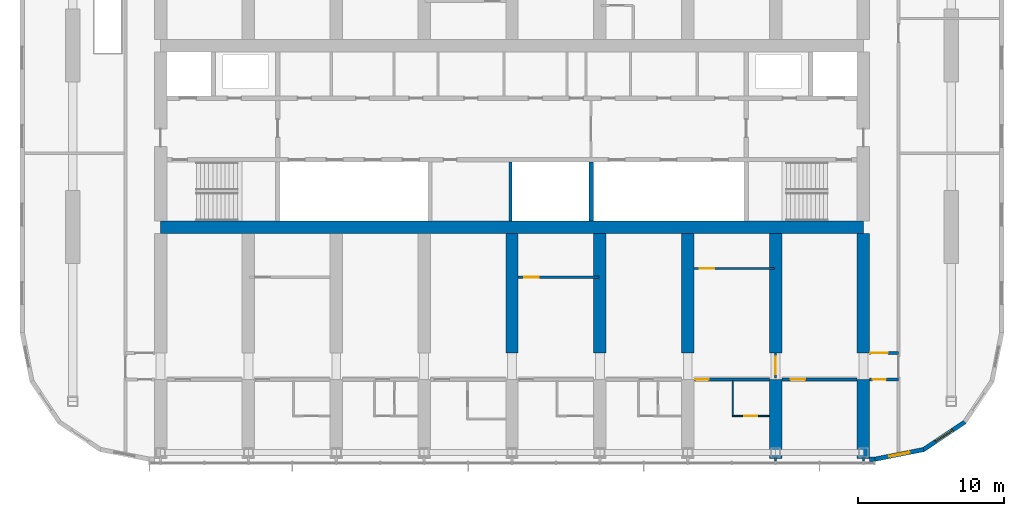
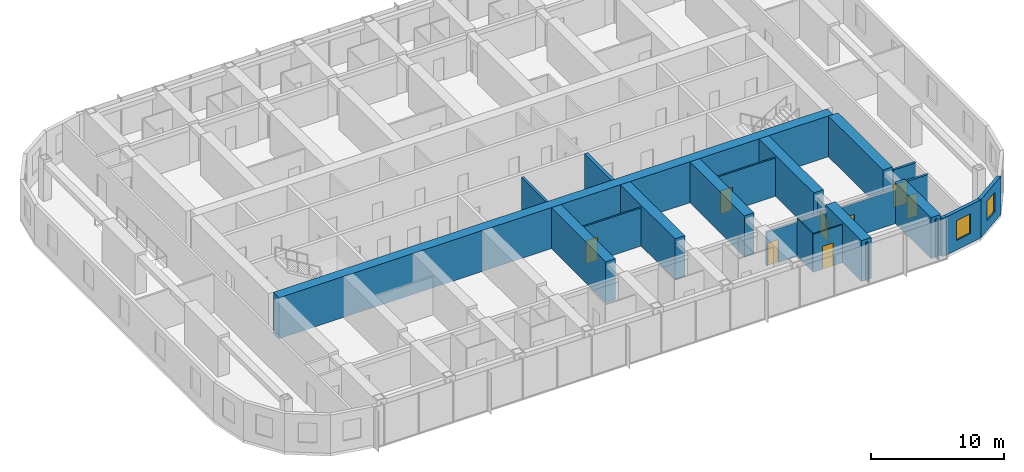
# One storey, part 12 of 22: 24 walls, 8 doors, 2 windows, 10 openings.
"""IFC4 building model written with IfcOpenShell, lengths in metres."""

from ifc_helpers import new_model, si_unit, direction, frame, frame_2d, origin, place, context, subcontext, project, spatial, polyline, rectangle, outline, extrude, material, layer, layer_set, type_object, element, fill, save


model = new_model("IFC4")

# Units and contexts
model_context = context("Model", 3, precision=1e-05, world=origin(), true_north=direction((0.0, 1.0)))
body_context = subcontext(model_context, "Body", "Model", "MODEL_VIEW")
ifc_project = project(units=[si_unit("LENGTHUNIT", "METRE"), si_unit("AREAUNIT", "SQUARE_METRE"), si_unit("VOLUMEUNIT", "CUBIC_METRE"), si_unit("PLANEANGLEUNIT", "RADIAN"), si_unit("MASSUNIT", "GRAM", prefix="KILO")], contexts=[model_context])

# Site, building, storey
site_placement = place(None, origin())
site = spatial("IfcSite", under=ifc_project, at=site_placement, CompositionType="ELEMENT")
building_placement = place(site_placement, origin())
building = spatial("IfcBuilding", under=site, at=building_placement, Name="Orbita Commons", CompositionType="ELEMENT")
storey_placement = place(building_placement, frame((0.0, 0.0, 152.35009765625)))
storey = spatial("IfcBuildingStorey", under=building, at=storey_placement, Name="L37", CompositionType="ELEMENT", Elevation=152.35009765625)

# Walls
ifc_material_1 = material(Name="Concrete C50/60", Category="concrete")
ifc_layer_1 = layer(ifc_material_1, 0.300048828125)
ifc_layer_set_1 = layer_set([ifc_layer_1], Name="Concrete C50/60")
wall_type_1 = type_object("IfcWallType", Name="Core inner wall 300 C50/60", PredefinedType="SHEAR", material=ifc_layer_set_1)
wall_1_placement = place(storey_placement, frame((47.39990234375, 26.22509765625, 0.0), z_axis=(0.0, 0.0, 1.0), x_axis=(0.0, 1.0, 0.0)))
element("IfcWall", 1, at=wall_1_placement, inside=storey, type_object=wall_type_1, Name="Hoistway division wall L37", PredefinedType="SHEAR", context=body_context, shape_type="SweptSolid", body=[
    extrude(rectangle(XDim=4.02490234375, YDim=0.300048828125, at=frame_2d((2.012451171875, 0.0))), origin(), (0.0, 0.0, 1.0), 3.75),
])
ifc_material_2 = material(Name="Concrete C50/60", Category="concrete")
ifc_layer_2 = layer(ifc_material_2, 0.85009765625)
ifc_layer_set_2 = layer_set([ifc_layer_2], Name="Concrete C50/60")
wall_type_2 = type_object("IfcWallType", Name="Core wall 850 C50/60", PredefinedType="SHEAR", material=ifc_layer_set_2)
wall_2_placement = place(storey_placement, frame((18.0, 25.800048828125, 0.0), z_axis=(0.0, 0.0, 1.0), x_axis=(1.0, 0.0, 0.0)))
element("IfcWall", 2, at=wall_2_placement, inside=storey, type_object=wall_type_2, Name="Core spine wall south L37", PredefinedType="SHEAR", context=body_context, shape_type="SweptSolid", body=[
    extrude(rectangle(XDim=48.0, YDim=0.85009765625, at=frame_2d((24.0, 0.0))), origin(), (0.0, 0.0, 1.0), 3.75),
])

# Wall, opening, door
ifc_material_3 = material(Name="Concrete blockwork", Category="masonry")
ifc_layer_3 = layer(ifc_material_3, 0.199951171875)
ifc_layer_set_3 = layer_set([ifc_layer_3], Name="Concrete blockwork")
wall_type_3 = type_object("IfcWallType", Name="Corridor wall 200 blockwork", PredefinedType="SOLIDWALL", material=ifc_layer_set_3)
wall_3_placement = place(storey_placement, frame((54.425048828125, 15.39990234375, 0.0), z_axis=(0.0, 0.0, 1.0), x_axis=(1.0, 0.0, 0.0)))
wall_3 = element("IfcWall", 3, at=wall_3_placement, inside=storey, type_object=wall_type_3, Name="Corridor wall 200 blockwork L37", PredefinedType="SOLIDWALL", context=body_context, shape_type="SweptSolid", body=[
    extrude(outline(polyline([(0.0, 0.0), (5.14990234375, 0.0), (5.14990234375, 3.099853515625), (0.0, 3.099853515625), (0.0, 0.0)])), frame((0.0, 0.10009765625, 0.0), z_axis=(0.0, -1.0, 0.0), x_axis=(1.0, 0.0, 0.0)), (0.0, 0.0, 1.0), 0.199951171875),
])
opening_1_placement = place(wall_3_placement, frame((0.10009765625, 0.0, 0.0)))
opening_1 = element("IfcOpeningElement", 4, at=opening_1_placement, cuts=wall_3, Name="Opening D11", PredefinedType="OPENING", context=body_context, shape_type="SweptSolid", body=[
    extrude(rectangle(XDim=0.89990234375, YDim=2.10009765625, at=frame_2d((0.449951171875, 1.050048828125))), frame((0.0, 0.10986328125, 0.0), z_axis=(0.0, -1.0, 0.0), x_axis=(1.0, 0.0, 0.0)), (0.0, 0.0, 1.0), 0.219970703125),
])
ifc_material_4 = material(Name="Steel-faced fire door leaf", Category="steel")
door_type_1 = type_object("IfcDoorType", Name="Corridor door 20 min 900x2100", OperationType="SINGLE_SWING_LEFT", PredefinedType="DOOR", material=ifc_material_4)
door_1_placement = place(opening_1_placement, origin())
door_1 = element("IfcDoor", 5, at=door_1_placement, inside=storey, type_object=door_type_1, Name="Twin room L37-S12 door", OperationType="SINGLE_SWING_LEFT", OverallHeight=2.10009765625, OverallWidth=0.89990234375, PredefinedType="DOOR", context=body_context, shape_type="SweptSolid", body=[
    extrude(rectangle(XDim=0.89990234375, YDim=2.10009765625, at=frame_2d((0.449951171875, 1.050048828125))), frame((0.0, 0.02490234375, 0.0), z_axis=(0.0, -1.0, 0.0), x_axis=(1.0, 0.0, 0.0)), (0.0, 0.0, 1.0), 0.050048828125),
])
fill(opening_1, door_1)

wall_4_placement = place(storey_placement, frame((60.425048828125, 15.39990234375, 0.0), z_axis=(0.0, 0.0, 1.0), x_axis=(1.0, 0.0, 0.0)))
wall_4 = element("IfcWall", 6, at=wall_4_placement, inside=storey, type_object=wall_type_3, Name="Corridor wall 200 blockwork L37", PredefinedType="SOLIDWALL", context=body_context, shape_type="SweptSolid", body=[
    extrude(outline(polyline([(0.0, 0.0), (5.14990234375, 0.0), (5.14990234375, 3.099853515625), (0.0, 3.099853515625), (0.0, 0.0)])), frame((0.0, 0.10009765625, 0.0), z_axis=(0.0, -1.0, 0.0), x_axis=(1.0, 0.0, 0.0)), (0.0, 0.0, 1.0), 0.199951171875),
])
opening_2_placement = place(wall_4_placement, frame((0.60009765625, 0.0, 0.0)))
opening_2 = element("IfcOpeningElement", 7, at=opening_2_placement, cuts=wall_4, Name="Opening D06", PredefinedType="OPENING", context=body_context, shape_type="SweptSolid", body=[
    extrude(rectangle(XDim=1.0, YDim=2.10009765625, at=frame_2d((0.5, 1.050048828125))), frame((0.0, 0.10986328125, 0.0), z_axis=(0.0, -1.0, 0.0), x_axis=(1.0, 0.0, 0.0)), (0.0, 0.0, 1.0), 0.219970703125),
])
ifc_material_5 = material(Name="Steel-faced fire door leaf", Category="steel")
door_type_2 = type_object("IfcDoorType", Name="Corridor door 20 min 1000x2100", OperationType="SINGLE_SWING_LEFT", PredefinedType="DOOR", material=ifc_material_5)
door_2_placement = place(opening_2_placement, origin())
door_2 = element("IfcDoor", 8, at=door_2_placement, inside=storey, type_object=door_type_2, Name="Cluster kitchen-diner L37-S14 door", OperationType="SINGLE_SWING_LEFT", OverallHeight=2.10009765625, OverallWidth=1.0, PredefinedType="DOOR", context=body_context, shape_type="SweptSolid", body=[
    extrude(rectangle(XDim=1.0, YDim=2.10009765625, at=frame_2d((0.5, 1.050048828125))), frame((0.0, 0.02490234375, 0.0), z_axis=(0.0, -1.0, 0.0), x_axis=(1.0, 0.0, 0.0)), (0.0, 0.0, 1.0), 0.050048828125),
])
fill(opening_2, door_2)

wall_5_placement = place(storey_placement, frame((66.425048828125, 15.39990234375, 0.0), z_axis=(0.0, 0.0, 1.0), x_axis=(1.0, 0.0, 0.0)))
wall_5 = element("IfcWall", 9, at=wall_5_placement, inside=storey, type_object=wall_type_3, Name="Corridor wall 200 blockwork L37", PredefinedType="SOLIDWALL", context=body_context, shape_type="SweptSolid", body=[
    extrude(rectangle(XDim=1.974853515625, YDim=0.199951171875, at=frame_2d((0.9873046875, 0.0))), origin(), (0.0, 0.0, 1.0), 3.5),
])
opening_3_placement = place(wall_5_placement, frame((0.199951171875, 0.0, 0.0)))
opening_3 = element("IfcOpeningElement", 10, at=opening_3_placement, cuts=wall_5, Name="Opening D05", PredefinedType="OPENING", context=body_context, shape_type="SweptSolid", body=[
    extrude(rectangle(XDim=0.89990234375, YDim=2.10009765625, at=frame_2d((0.449951171875, 1.050048828125))), frame((0.0, 0.10986328125, 0.0), z_axis=(0.0, -1.0, 0.0), x_axis=(1.0, 0.0, 0.0)), (0.0, 0.0, 1.0), 0.219970703125),
])
ifc_material_6 = material(Name="Steel-faced fire door leaf", Category="steel")
door_type_3 = type_object("IfcDoorType", Name="Service door 20 min 900x2100", OperationType="SINGLE_SWING_LEFT", PredefinedType="DOOR", material=ifc_material_6)
door_3_placement = place(opening_3_placement, origin())
door_3 = element("IfcDoor", 11, at=door_3_placement, inside=storey, type_object=door_type_3, Name="Linen store L37-KES door", OperationType="SINGLE_SWING_LEFT", OverallHeight=2.10009765625, OverallWidth=0.89990234375, PredefinedType="DOOR", context=body_context, shape_type="SweptSolid", body=[
    extrude(rectangle(XDim=0.89990234375, YDim=2.10009765625, at=frame_2d((0.449951171875, 1.050048828125))), frame((0.0, 0.02490234375, 0.0), z_axis=(0.0, -1.0, 0.0), x_axis=(1.0, 0.0, 0.0)), (0.0, 0.0, 1.0), 0.050048828125),
])
fill(opening_3, door_3)

ifc_material_7 = material(Name="Hollow concrete block 200", Category="concrete")
ifc_layer_4 = layer(ifc_material_7, 0.199951171875)
ifc_layer_set_4 = layer_set([ifc_layer_4], Name="Hollow concrete block 200")
wall_type_4 = type_object("IfcWallType", Name="Corridor wall 200 hollow concrete block", PredefinedType="SOLIDWALL", material=ifc_layer_set_4)
wall_6_placement = place(storey_placement, frame((66.425048828125, 17.199951171875, 0.0), z_axis=(0.0, 0.0, 1.0), x_axis=(1.0, 0.0, 0.0)))
wall_6 = element("IfcWall", 12, at=wall_6_placement, inside=storey, type_object=wall_type_4, Name="Corridor wall 200 hollow concrete block L37", PredefinedType="SOLIDWALL", context=body_context, shape_type="SweptSolid", body=[
    extrude(rectangle(XDim=1.974853515625, YDim=0.199951171875, at=frame_2d((0.9873046875, 0.0))), origin(), (0.0, 0.0, 1.0), 3.5),
])
opening_4_placement = place(wall_6_placement, frame((0.050048828125, 0.0, 0.0)))
opening_4 = element("IfcOpeningElement", 13, at=opening_4_placement, cuts=wall_6, Name="Opening D12", PredefinedType="OPENING", context=body_context, shape_type="SweptSolid", body=[
    extrude(rectangle(XDim=1.199951171875, YDim=2.10009765625, at=frame_2d((0.60009765625, 1.050048828125))), frame((0.0, 0.10986328125, 0.0), z_axis=(0.0, -1.0, 0.0), x_axis=(1.0, 0.0, 0.0)), (0.0, 0.0, 1.0), 0.219970703125),
])
ifc_material_8 = material(Name="Steel-faced fire door leaf", Category="steel")
door_type_4 = type_object("IfcDoorType", Name="Double corridor door 20 min 1200x2100", OperationType="DOUBLE_DOOR_SINGLE_SWING", PredefinedType="DOOR", material=ifc_material_8)
door_4_placement = place(opening_4_placement, origin())
door_4 = element("IfcDoor", 14, at=door_4_placement, inside=storey, type_object=door_type_4, Name="Cross corridor doors", OperationType="DOUBLE_DOOR_SINGLE_SWING", OverallHeight=2.10009765625, OverallWidth=1.199951171875, PredefinedType="DOOR", context=body_context, shape_type="SweptSolid", body=[
    extrude(rectangle(XDim=1.199951171875, YDim=2.10009765625, at=frame_2d((0.60009765625, 1.050048828125))), frame((0.0, 0.02490234375, 0.0), z_axis=(0.0, -1.0, 0.0), x_axis=(1.0, 0.0, 0.0)), (0.0, 0.0, 1.0), 0.050048828125),
])
fill(opening_4, door_4)

# Walls
ifc_material_9 = material(Name="Concrete C50/60", Category="concrete")
ifc_layer_5 = layer(ifc_material_9, 0.85009765625)
ifc_layer_set_5 = layer_set([ifc_layer_5], Name="Concrete C50/60")
wall_type_5 = type_object("IfcWallType", Name="Cross wall 850 C50/60", PredefinedType="SHEAR", material=ifc_layer_set_5)
for number, where, z_axis, x_axis, name in (
    (15, (42.0, 17.199951171875, 0.0), (0.0, 0.0, 1.0), (0.0, 1.0, 0.0), "Cross wall 8 south inner L37"),
    (16, (48.0, 17.199951171875, 0.0), (0.0, 0.0, 1.0), (0.0, 1.0, 0.0), "Cross wall 9 south inner L37"),
    (17, (54.0, 17.199951171875, 0.0), (0.0, 0.0, 1.0), (0.0, 1.0, 0.0), "Cross wall 10 south inner L37"),
):
    element("IfcWall", number, at=place(storey_placement, frame(where, z_axis=z_axis, x_axis=x_axis)), inside=storey, type_object=wall_type_5, Name=name, PredefinedType="SHEAR", context=body_context, shape_type="SweptSolid", body=[
        extrude(rectangle(XDim=8.175048828125, YDim=0.85009765625, at=frame_2d((4.08740234375, 0.0))), origin(), (0.0, 0.0, 1.0), 3.75),
    ])
wall_7_placement = place(storey_placement, frame((60.0, 10.0, 0.0), z_axis=(0.0, 0.0, 1.0), x_axis=(0.0, 1.0, 0.0)))
element("IfcWall", 18, at=wall_7_placement, inside=storey, type_object=wall_type_5, Name="Cross wall 11 south outer L37", PredefinedType="SHEAR", context=body_context, shape_type="SweptSolid", body=[
    extrude(rectangle(XDim=5.39990234375, YDim=0.85009765625, at=frame_2d((2.699951171875, 0.0))), origin(), (0.0, 0.0, 1.0), 3.75),
])
wall_8_placement = place(storey_placement, frame((60.0, 17.199951171875, 0.0), z_axis=(0.0, 0.0, 1.0), x_axis=(0.0, 1.0, 0.0)))
element("IfcWall", 19, at=wall_8_placement, inside=storey, type_object=wall_type_5, Name="Cross wall 11 south inner L37", PredefinedType="SHEAR", context=body_context, shape_type="SweptSolid", body=[
    extrude(rectangle(XDim=8.175048828125, YDim=0.85009765625, at=frame_2d((4.08740234375, 0.0))), origin(), (0.0, 0.0, 1.0), 3.75),
])
wall_9_placement = place(storey_placement, frame((66.0, 10.0, 0.0), z_axis=(0.0, 0.0, 1.0), x_axis=(0.0, 1.0, 0.0)))
element("IfcWall", 20, at=wall_9_placement, inside=storey, type_object=wall_type_5, Name="Cross wall 12 south outer L37", PredefinedType="SHEAR", context=body_context, shape_type="SweptSolid", body=[
    extrude(rectangle(XDim=5.39990234375, YDim=0.85009765625, at=frame_2d((2.699951171875, 0.0))), origin(), (0.0, 0.0, 1.0), 3.75),
])
wall_10_placement = place(storey_placement, frame((66.0, 17.199951171875, 0.0), z_axis=(0.0, 0.0, 1.0), x_axis=(0.0, 1.0, 0.0)))
element("IfcWall", 21, at=wall_10_placement, inside=storey, type_object=wall_type_5, Name="Cross wall 12 south inner L37", PredefinedType="SHEAR", context=body_context, shape_type="SweptSolid", body=[
    extrude(rectangle(XDim=8.175048828125, YDim=0.85009765625, at=frame_2d((4.08740234375, 0.0))), origin(), (0.0, 0.0, 1.0), 3.75),
])

# Wall, opening, door
ifc_material_10 = material(Name="Moisture-resistant plasterboard on steel studs", Category="steel")
ifc_layer_6 = layer(ifc_material_10, 0.10009765625)
ifc_layer_set_6 = layer_set([ifc_layer_6], Name="Moisture-resistant plasterboard on steel studs")
wall_type_6 = type_object("IfcWallType", Name="En-suite partition 100", PredefinedType="PARTITIONING", material=ifc_layer_set_6)
wall_11_placement = place(storey_placement, frame((59.574951171875, 12.89990234375, 0.0), z_axis=(0.0, 0.0, 1.0), x_axis=(-1.0, 0.0, 0.0)))
wall_11 = element("IfcWall", 22, at=wall_11_placement, inside=storey, type_object=wall_type_6, Name="En-suite partition 100 L37", PredefinedType="PARTITIONING", context=body_context, shape_type="SweptSolid", body=[
    extrude(rectangle(XDim=2.550048828125, YDim=0.10009765625, at=frame_2d((1.27490234375, 0.0))), origin(), (0.0, 0.0, 1.0), 3.5),
])
opening_5_placement = place(wall_11_placement, frame((0.824951171875, 0.0, 0.0)))
opening_5 = element("IfcOpeningElement", 23, at=opening_5_placement, cuts=wall_11, Name="Opening D09", PredefinedType="OPENING", context=body_context, shape_type="SweptSolid", body=[
    extrude(rectangle(XDim=0.89990234375, YDim=2.10009765625, at=frame_2d((0.449951171875, 1.050048828125))), frame((0.0, 0.06005859375, 0.0), z_axis=(0.0, -1.0, 0.0), x_axis=(1.0, 0.0, 0.0)), (0.0, 0.0, 1.0), 0.1201171875),
])
ifc_material_11 = material(Name="Laminated timber door leaf", Category="wood")
door_type_5 = type_object("IfcDoorType", Name="En-suite door 900x2100", OperationType="SINGLE_SWING_RIGHT", PredefinedType="DOOR", material=ifc_material_11)
door_5_placement = place(opening_5_placement, origin())
door_5 = element("IfcDoor", 24, at=door_5_placement, inside=storey, type_object=door_type_5, Name="En-suite L37-S12 door", OperationType="SINGLE_SWING_RIGHT", OverallHeight=2.10009765625, OverallWidth=0.89990234375, PredefinedType="DOOR", context=body_context, shape_type="SweptSolid", body=[
    extrude(rectangle(XDim=0.89990234375, YDim=2.10009765625, at=frame_2d((0.449951171875, 1.050048828125))), frame((0.0, 0.02490234375, 0.0), z_axis=(0.0, -1.0, 0.0), x_axis=(1.0, 0.0, 0.0)), (0.0, 0.0, 1.0), 0.050048828125),
])
fill(opening_5, door_5)

# Wall
wall_12_placement = place(storey_placement, frame((57.074951171875, 12.949951171875, 0.0), z_axis=(0.0, 0.0, 1.0), x_axis=(0.0, 1.0, 0.0)))
element("IfcWall", 25, at=wall_12_placement, inside=storey, type_object=wall_type_6, Name="En-suite partition 100 L37", PredefinedType="PARTITIONING", context=body_context, shape_type="SweptSolid", body=[
    extrude(outline(polyline([(0.0, 0.0), (2.35009765625, 0.0), (2.35009765625, 3.099853515625), (2.302001953125, 3.099853515625), (2.300048828125, 3.5), (0.0, 3.5), (0.0, 0.0)])), frame((0.0, 0.050048828125, 0.0), z_axis=(0.0, -1.0, 0.0), x_axis=(1.0, 0.0, 0.0)), (0.0, 0.0, 1.0), 0.10009765625),
])

# Wall, opening, door
ifc_material_12 = material(Name="Gypsum plasterboard on steel studs", Category="steel")
ifc_layer_7 = layer(ifc_material_12, 0.14990234375)
ifc_layer_set_7 = layer_set([ifc_layer_7], Name="Gypsum plasterboard on steel studs")
wall_type_7 = type_object("IfcWallType", Name="Partition 150 plasterboard", PredefinedType="PARTITIONING", material=ifc_layer_set_7)
wall_13_placement = place(storey_placement, frame((42.425048828125, 22.375, 0.0), z_axis=(0.0, 0.0, 1.0), x_axis=(1.0, 0.0, 0.0)))
wall_13 = element("IfcWall", 26, at=wall_13_placement, inside=storey, type_object=wall_type_7, Name="Partition 150 plasterboard L37", PredefinedType="PARTITIONING", context=body_context, shape_type="SweptSolid", body=[
    extrude(rectangle(XDim=5.5, YDim=0.14990234375, at=frame_2d((2.75, 0.0))), origin(), (0.0, 0.0, 1.0), 3.5),
])
opening_6_placement = place(wall_13_placement, frame((0.39990234375, 0.0, 0.0)))
opening_6 = element("IfcOpeningElement", 27, at=opening_6_placement, cuts=wall_13, Name="Opening D18", PredefinedType="OPENING", context=body_context, shape_type="SweptSolid", body=[
    extrude(rectangle(XDim=1.0, YDim=2.10009765625, at=frame_2d((0.5, 1.050048828125))), frame((0.0, 0.0849609375, 0.0), z_axis=(0.0, -1.0, 0.0), x_axis=(1.0, 0.0, 0.0)), (0.0, 0.0, 1.0), 0.169921875),
])
ifc_material_13 = material(Name="Steel-faced fire door leaf", Category="steel")
door_type_6 = type_object("IfcDoorType", Name="Service door 20 min 1000x2100", OperationType="SINGLE_SWING_LEFT", PredefinedType="DOOR", material=ifc_material_13)
door_6_placement = place(opening_6_placement, origin())
door_6 = element("IfcDoor", 28, at=door_6_placement, inside=storey, type_object=door_type_6, Name="Refuse and recycling room L37-BDS42 door", OperationType="SINGLE_SWING_LEFT", OverallHeight=2.10009765625, OverallWidth=1.0, PredefinedType="DOOR", context=body_context, shape_type="SweptSolid", body=[
    extrude(rectangle(XDim=1.0, YDim=2.10009765625, at=frame_2d((0.5, 1.050048828125))), frame((0.0, 0.02490234375, 0.0), z_axis=(0.0, -1.0, 0.0), x_axis=(1.0, 0.0, 0.0)), (0.0, 0.0, 1.0), 0.050048828125),
])
fill(opening_6, door_6)

wall_14_placement = place(storey_placement, frame((54.425048828125, 22.97509765625, 0.0), z_axis=(0.0, 0.0, 1.0), x_axis=(1.0, 0.0, 0.0)))
wall_14 = element("IfcWall", 29, at=wall_14_placement, inside=storey, type_object=wall_type_7, Name="Partition 150 plasterboard L37", PredefinedType="PARTITIONING", context=body_context, shape_type="SweptSolid", body=[
    extrude(rectangle(XDim=5.5, YDim=0.14990234375, at=frame_2d((2.75, 0.0))), origin(), (0.0, 0.0, 1.0), 3.5),
])
opening_7_placement = place(wall_14_placement, frame((0.39990234375, 0.0, 0.0)))
opening_7 = element("IfcOpeningElement", 30, at=opening_7_placement, cuts=wall_14, Name="Opening D18", PredefinedType="OPENING", context=body_context, shape_type="SweptSolid", body=[
    extrude(rectangle(XDim=1.0, YDim=2.10009765625, at=frame_2d((0.5, 1.050048828125))), frame((0.0, 0.0849609375, 0.0), z_axis=(0.0, -1.0, 0.0), x_axis=(1.0, 0.0, 0.0)), (0.0, 0.0, 1.0), 0.169921875),
])
door_7_placement = place(opening_7_placement, origin())
door_7 = element("IfcDoor", 31, at=door_7_placement, inside=storey, type_object=door_type_6, Name="Cleaners store L37-BDS54 door", OperationType="SINGLE_SWING_LEFT", OverallHeight=2.10009765625, OverallWidth=1.0, PredefinedType="DOOR", context=body_context, shape_type="SweptSolid", body=[
    extrude(rectangle(XDim=1.0, YDim=2.10009765625, at=frame_2d((0.5, 1.050048828125))), frame((0.0, 0.02490234375, 0.0), z_axis=(0.0, -1.0, 0.0), x_axis=(1.0, 0.0, 0.0)), (0.0, 0.0, 1.0), 0.050048828125),
])
fill(opening_7, door_7)

wall_15_placement = place(storey_placement, frame((60.0, 15.5, 0.0), z_axis=(0.0, 0.0, 1.0), x_axis=(0.0, 1.0, 0.0)))
wall_15 = element("IfcWall", 32, at=wall_15_placement, inside=storey, type_object=wall_type_7, Name="Partition 150 plasterboard L37", PredefinedType="PARTITIONING", context=body_context, shape_type="SweptSolid", body=[
    extrude(outline(polyline([(0.0, 0.0), (1.699951171875, 0.0), (1.699951171875, 3.099853515625), (0.0, 3.099853515625), (0.0, 0.0)])), frame((0.0, 0.074951171875, 0.0), z_axis=(0.0, -1.0, 0.0), x_axis=(1.0, 0.0, 0.0)), (0.0, 0.0, 1.0), 0.14990234375),
])
opening_8_placement = place(wall_15_placement, frame((0.25, 0.0, 0.0)))
opening_8 = element("IfcOpeningElement", 33, at=opening_8_placement, cuts=wall_15, Name="Opening D12", PredefinedType="OPENING", context=body_context, shape_type="SweptSolid", body=[
    extrude(rectangle(XDim=1.199951171875, YDim=2.10009765625, at=frame_2d((0.60009765625, 1.050048828125))), frame((0.0, 0.0849609375, 0.0), z_axis=(0.0, -1.0, 0.0), x_axis=(1.0, 0.0, 0.0)), (0.0, 0.0, 1.0), 0.169921875),
])
door_8_placement = place(opening_8_placement, origin())
door_8 = element("IfcDoor", 34, at=door_8_placement, inside=storey, type_object=door_type_4, Name="Social spine south screen doors", OperationType="DOUBLE_DOOR_SINGLE_SWING", OverallHeight=2.10009765625, OverallWidth=1.199951171875, PredefinedType="DOOR", context=body_context, shape_type="SweptSolid", body=[
    extrude(rectangle(XDim=1.199951171875, YDim=2.10009765625, at=frame_2d((0.60009765625, 1.050048828125))), frame((0.0, 0.02490234375, 0.0), z_axis=(0.0, -1.0, 0.0), x_axis=(1.0, 0.0, 0.0)), (0.0, 0.0, 1.0), 0.050048828125),
])
fill(opening_8, door_8)

# Walls
for number, where, z_axis, x_axis, name in (
    (35, (60.0, 10.050048828125, 0.0), (0.0, 0.0, 1.0), (0.0, -1.0, 0.0), "Partition 150 plasterboard L37"),
    (36, (66.0, 10.050048828125, 0.0), (0.0, 0.0, 1.0), (0.0, -1.0, 0.0), "Partition 150 plasterboard L37"),
):
    element("IfcWall", number, at=place(storey_placement, frame(where, z_axis=z_axis, x_axis=x_axis)), inside=storey, type_object=wall_type_7, Name=name, PredefinedType="PARTITIONING", context=body_context, shape_type="SweptSolid", body=[
        extrude(rectangle(XDim=0.239990234375, YDim=0.14990234375, at=frame_2d((0.1201171875, 0.0))), origin(), (0.0, 0.0, 1.0), 3.5),
    ])

# Wall, opening, window
ifc_material_14 = material(Name="Precast concrete C40/50, white board-marked finish", Category="concrete")
ifc_layer_8 = layer(ifc_material_14, 0.300048828125)
ifc_layer_set_8 = layer_set([ifc_layer_8], Name="Precast concrete C40/50, white board-marked finish")
wall_type_8 = type_object("IfcWallType", Name="Precast concrete end shield 300", PredefinedType="SOLIDWALL", material=ifc_layer_set_8)
wall_16_placement = place(storey_placement, frame((66.800048828125, 9.949951171875, 0.0), z_axis=(0.0, 0.0, 1.0), x_axis=(0.98078325777, 0.195100490205, 0.0)))
wall_16 = element("IfcWall", 37, at=wall_16_placement, inside=storey, type_object=wall_type_8, Name="End shield SE chord 1 L37", PredefinedType="SOLIDWALL", context=body_context, shape_type="SweptSolid", body=[
    extrude(outline(polyline([(-0.02978515625, -0.14990234375), (3.40478515625, -0.14990234375), (3.34521484375, 0.14990234375), (0.02978515625, 0.14990234375), (-0.02978515625, -0.14990234375)])), origin(), (0.0, 0.0, 1.0), 3.5),
])
opening_9_placement = place(wall_16_placement, frame((0.987548828125, 0.0, 0.89990234375)))
opening_9 = element("IfcOpeningElement", 38, at=opening_9_placement, cuts=wall_16, Name="Opening W02", PredefinedType="OPENING", context=body_context, shape_type="SweptSolid", body=[
    extrude(rectangle(XDim=1.39990234375, YDim=1.800048828125, at=frame_2d((0.699951171875, 0.89990234375))), frame((0.0, 0.159912109375, 0.0), z_axis=(0.0, -1.0, 0.0), x_axis=(1.0, 0.0, 0.0)), (0.0, 0.0, 1.0), 0.320068359375),
])
ifc_material_15 = material(Name="Aluminium frame, clear double glazing", Category="aluminium")
window_type = type_object("IfcWindowType", Name="Deep-set window 1400x1800", PartitioningType="SINGLE_PANEL", PredefinedType="WINDOW", material=ifc_material_15)
window_1_placement = place(opening_9_placement, origin())
window_1 = element("IfcWindow", 39, at=window_1_placement, inside=storey, type_object=window_type, Name="Window L37-SE0", OverallHeight=1.800048828125, OverallWidth=1.39990234375, PartitioningType="SINGLE_PANEL", PredefinedType="WINDOW", context=body_context, shape_type="SweptSolid", body=[
    extrude(rectangle(XDim=1.39990234375, YDim=1.800048828125, at=frame_2d((0.699951171875, 0.89990234375))), frame((0.0, 0.030029296875, 0.0), z_axis=(0.0, -1.0, 0.0), x_axis=(1.0, 0.0, 0.0)), (0.0, 0.0, 1.0), 0.06005859375),
])
fill(opening_9, window_1)

wall_17_placement = place(storey_placement, frame((70.110107421875, 10.6083984375, 0.0), z_axis=(0.0, 0.0, 1.0), x_axis=(0.831493450887, 0.555534554399, 0.0)))
wall_17 = element("IfcWall", 40, at=wall_17_placement, inside=storey, type_object=wall_type_8, Name="End shield SE chord 2 L37", PredefinedType="SOLIDWALL", context=body_context, shape_type="SweptSolid", body=[
    extrude(outline(polyline([(-0.02978515625, -0.14990234375), (3.405029296875, -0.14990234375), (3.345458984375, 0.14990234375), (0.02978515625, 0.14990234375), (-0.02978515625, -0.14990234375)])), origin(), (0.0, 0.0, 1.0), 3.5),
])
opening_10_placement = place(wall_17_placement, frame((0.987548828125, 0.0, 0.89990234375)))
opening_10 = element("IfcOpeningElement", 41, at=opening_10_placement, cuts=wall_17, Name="Opening W02", PredefinedType="OPENING", context=body_context, shape_type="SweptSolid", body=[
    extrude(rectangle(XDim=1.39990234375, YDim=1.800048828125, at=frame_2d((0.699951171875, 0.89990234375))), frame((0.0, 0.159912109375, 0.0), z_axis=(0.0, -1.0, 0.0), x_axis=(1.0, 0.0, 0.0)), (0.0, 0.0, 1.0), 0.320068359375),
])
window_2_placement = place(opening_10_placement, origin())
window_2 = element("IfcWindow", 42, at=window_2_placement, inside=storey, type_object=window_type, Name="Window L37-SE1", OverallHeight=1.800048828125, OverallWidth=1.39990234375, PartitioningType="SINGLE_PANEL", PredefinedType="WINDOW", context=body_context, shape_type="SweptSolid", body=[
    extrude(rectangle(XDim=1.39990234375, YDim=1.800048828125, at=frame_2d((0.699951171875, 0.89990234375))), frame((0.0, 0.030029296875, 0.0), z_axis=(0.0, -1.0, 0.0), x_axis=(1.0, 0.0, 0.0)), (0.0, 0.0, 1.0), 0.06005859375),
])
fill(opening_10, window_2)

# Walls
wall_18_placement = place(storey_placement, frame((66.800048828125, 9.949951171875, 0.0), z_axis=(0.0, 0.0, 1.0), x_axis=(-1.0, 0.0, 0.0)))
element("IfcWall", 43, at=wall_18_placement, inside=storey, type_object=wall_type_8, Name="End shield SE closer L37", PredefinedType="SOLIDWALL", context=body_context, shape_type="SweptSolid", body=[
    extrude(rectangle(XDim=0.375, YDim=0.300048828125, at=frame_2d((0.1875, 0.0))), origin(), (0.0, 0.0, 1.0), 3.5),
])
ifc_material_16 = material(Name="Concrete blockwork, fully filled", Category="masonry")
ifc_layer_9 = layer(ifc_material_16, 0.199951171875)
ifc_layer_set_9 = layer_set([ifc_layer_9], Name="Concrete blockwork, fully filled")
wall_type_9 = type_object("IfcWallType", Name="Shaft partition 200 blockwork", PredefinedType="SOLIDWALL", material=ifc_layer_set_9)
wall_19_placement = place(storey_placement, frame((41.89990234375, 26.22509765625, 0.0), z_axis=(0.0, 0.0, 1.0), x_axis=(0.0, 1.0, 0.0)))
element("IfcWall", 44, at=wall_19_placement, inside=storey, type_object=wall_type_9, Name="Shaft partition 200 blockwork L37", PredefinedType="SOLIDWALL", context=body_context, shape_type="SweptSolid", body=[
    extrude(rectangle(XDim=4.02490234375, YDim=0.199951171875, at=frame_2d((2.012451171875, 0.0))), origin(), (0.0, 0.0, 1.0), 3.5),
])

save(model, "model.ifc")
